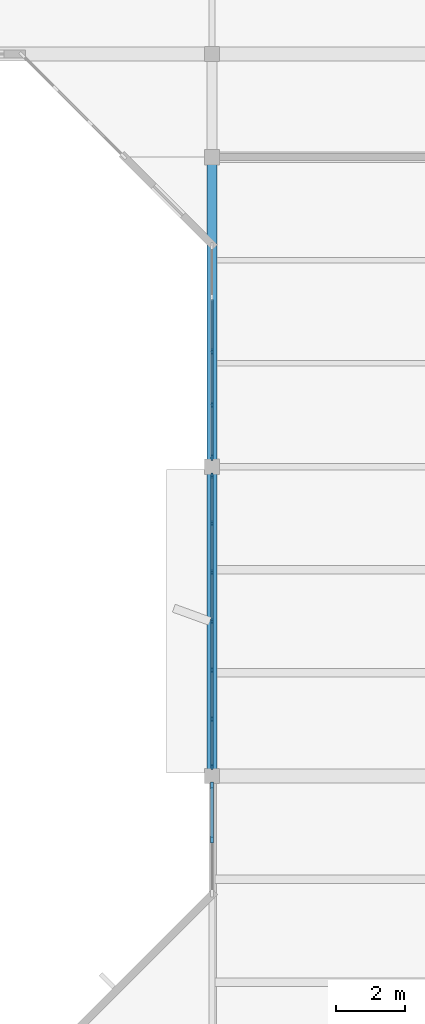
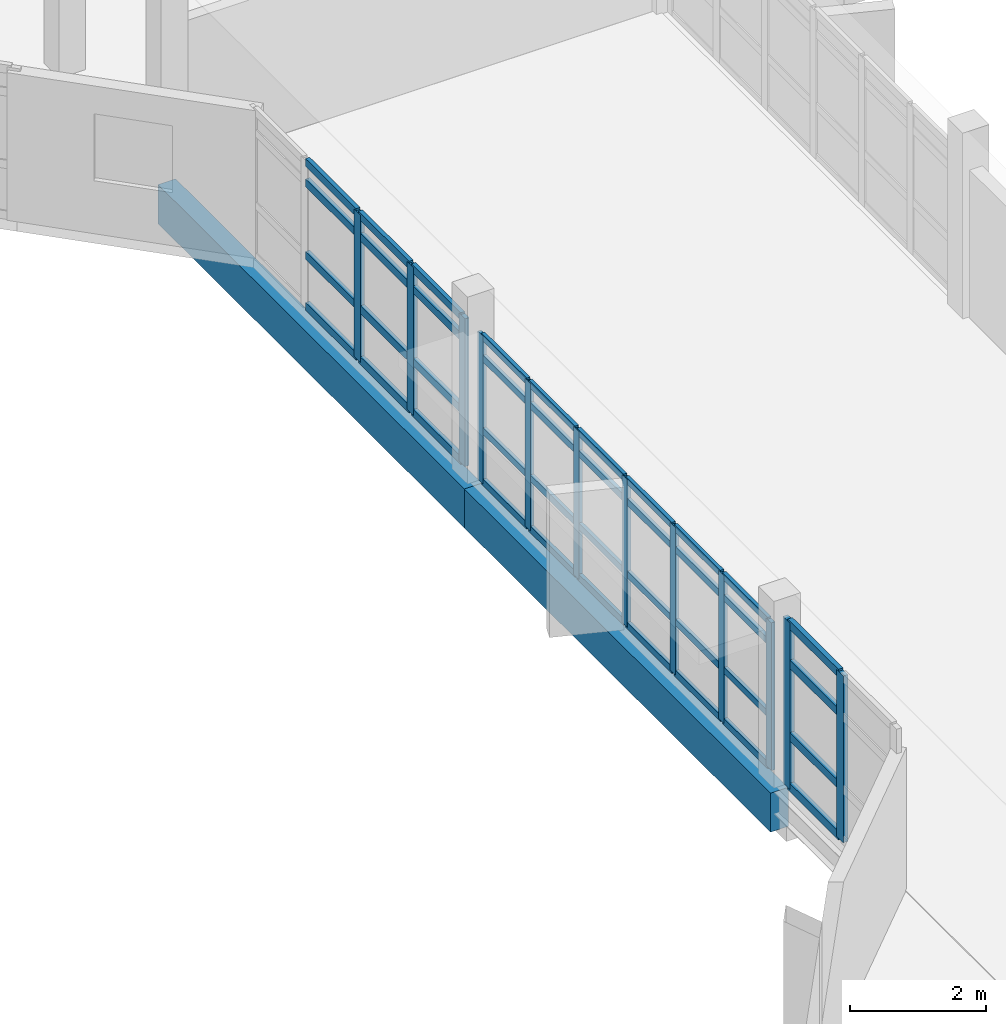
# One storey, part 5 of 33: 52 members, 2 beams, 3 elements without a shape of their own.
"""IFC4 building model written with IfcOpenShell, lengths in metres."""

from ifc_helpers import new_model, si_unit, direction, frame, origin, origin_2d, place, context, subcontext, project, spatial, rectangle, extrude, material, material_profile, profile_set, type_object, element, aggregate, save


model = new_model("IFC4")

# Units and contexts
model_context = context("Model", 3, precision=1e-05, world=origin(), true_north=direction((0.0, 1.0)))
body_context = subcontext(model_context, "Body", "Model", "MODEL_VIEW")
ifc_project = project(units=[si_unit("LENGTHUNIT", "METRE"), si_unit("AREAUNIT", "SQUARE_METRE"), si_unit("VOLUMEUNIT", "CUBIC_METRE"), si_unit("PLANEANGLEUNIT", "RADIAN"), si_unit("MASSUNIT", "GRAM", prefix="KILO")], contexts=[model_context])

# Site, building, storey
site_placement = place(None, origin())
site = spatial("IfcSite", under=ifc_project, at=site_placement, CompositionType="ELEMENT")
building_placement = place(site_placement, origin())
building = spatial("IfcBuilding", under=site, at=building_placement, Name="Vanh Quang Courtyard School", CompositionType="ELEMENT")
storey_placement = place(building_placement, frame((0.0, 0.0, 18.60009765625)))
storey = spatial("IfcBuildingStorey", under=building, at=storey_placement, Name="L05", CompositionType="ELEMENT", Elevation=18.60009765625)

# Beams
ifc_material_1 = material(Name="Concrete C35/45", Category="concrete")
ifc_material_profile_1 = material_profile(ifc_material_1, rectangle(XDim=0.300048828125, YDim=0.699951171875, at=origin_2d()), Name="RC-SP 300x700")
ifc_profile_set_1 = profile_set([ifc_material_profile_1], Name="Concrete C35/45")
beam_type = type_object("IfcBeamType", Name="BM-SP-300x700", PredefinedType="SPANDREL", material=ifc_profile_set_1)
for number, where, z_axis, x_axis, name in (
    (1, (66.0, 50.39990234375, -0.60009765625), (0.0, 1.0, 0.0), (-1.0, 0.0, 0.0), "Beam BS-01 (L05)"),
    (2, (66.0, 59.39990234375, -0.60009765625), (0.0, 1.0, 0.0), (-1.0, 0.0, 0.0), "Beam BS-01 (L05)"),
):
    element("IfcBeam", number, at=place(storey_placement, frame(where, z_axis=z_axis, x_axis=x_axis)), inside=storey, type_object=beam_type, Name=name, PredefinedType="SPANDREL", context=body_context, shape_type="SweptSolid", body=[
        extrude(rectangle(XDim=0.300048828125, YDim=0.699951171875, at=origin_2d()), origin(), (0.0, 0.0, 1.0), 9.0),
    ])

# Curtain wall, members
ifc_material_2 = material(Name="Thermally broken aluminium unitised curtain wall", Category="aluminium")
curtain_wall_type_1 = type_object("IfcCurtainWallType", Name="CW-SYS-50", PredefinedType="NOTDEFINED", material=ifc_material_2)
curtain_wall_1_placement = place(storey_placement, origin())
curtain_wall_1 = element("IfcCurtainWall", 3, at=curtain_wall_1_placement, inside=storey, type_object=curtain_wall_type_1, Name="Curtain Wall CW-50 (L05)", PredefinedType="NOTDEFINED")
ifc_material_3 = material(Name="Anodised aluminium 6063-T6", Category="aluminium")
ifc_material_profile_2 = material_profile(ifc_material_3, rectangle(XDim=0.06005859375, YDim=0.159912109375, at=origin_2d()), Name="ALU-MUL 60x160")
ifc_profile_set_2 = profile_set([ifc_material_profile_2], Name="Anodised aluminium 6063-T6")
member_type_1 = type_object("IfcMemberType", Name="CW-MUL-60x160", PredefinedType="MULLION", material=ifc_profile_set_2)
member_1_placement = place(storey_placement, frame((66.0, 50.6630859375, 0.0), z_axis=(0.0, 0.0, 1.0), x_axis=(-1.0, 0.0, 0.0)))
member_1 = element("IfcMember", 4, at=member_1_placement, type_object=member_type_1, Name="CW-50 mullion 1", PredefinedType="MULLION", context=body_context, shape_type="SweptSolid", body=[
    extrude(rectangle(XDim=0.06005859375, YDim=0.159912109375, at=origin_2d()), origin(), (0.0, 0.0, 1.0), 2.64990234375),
])
member_2_placement = place(storey_placement, frame((66.0, 52.055419921875, 0.0), z_axis=(0.0, 0.0, 1.0), x_axis=(-1.0, 0.0, 0.0)))
member_2 = element("IfcMember", 5, at=member_2_placement, type_object=member_type_1, Name="CW-50 mullion 2", PredefinedType="MULLION", context=body_context, shape_type="SweptSolid", body=[
    extrude(rectangle(XDim=0.06005859375, YDim=0.159912109375, at=origin_2d()), origin(), (0.0, 0.0, 1.0), 2.64990234375),
])
member_3_placement = place(storey_placement, frame((66.0, 53.477783203125, 0.0), z_axis=(0.0, 0.0, 1.0), x_axis=(-1.0, 0.0, 0.0)))
member_3 = element("IfcMember", 6, at=member_3_placement, type_object=member_type_1, Name="CW-50 mullion 3", PredefinedType="MULLION", context=body_context, shape_type="SweptSolid", body=[
    extrude(rectangle(XDim=0.06005859375, YDim=0.159912109375, at=origin_2d()), origin(), (0.0, 0.0, 1.0), 2.64990234375),
])
member_4_placement = place(storey_placement, frame((66.0, 54.89990234375, 0.0), z_axis=(0.0, 0.0, 1.0), x_axis=(-1.0, 0.0, 0.0)))
member_4 = element("IfcMember", 7, at=member_4_placement, type_object=member_type_1, Name="CW-50 mullion 4", PredefinedType="MULLION", context=body_context, shape_type="SweptSolid", body=[
    extrude(rectangle(XDim=0.06005859375, YDim=0.159912109375, at=origin_2d()), origin(), (0.0, 0.0, 1.0), 2.64990234375),
])
member_5_placement = place(storey_placement, frame((66.0, 56.322265625, 0.0), z_axis=(0.0, 0.0, 1.0), x_axis=(-1.0, 0.0, 0.0)))
member_5 = element("IfcMember", 8, at=member_5_placement, type_object=member_type_1, Name="CW-50 mullion 5", PredefinedType="MULLION", context=body_context, shape_type="SweptSolid", body=[
    extrude(rectangle(XDim=0.06005859375, YDim=0.159912109375, at=origin_2d()), origin(), (0.0, 0.0, 1.0), 2.64990234375),
])
member_6_placement = place(storey_placement, frame((66.0, 57.74462890625, 0.0), z_axis=(0.0, 0.0, 1.0), x_axis=(-1.0, 0.0, 0.0)))
member_6 = element("IfcMember", 9, at=member_6_placement, type_object=member_type_1, Name="CW-50 mullion 6", PredefinedType="MULLION", context=body_context, shape_type="SweptSolid", body=[
    extrude(rectangle(XDim=0.06005859375, YDim=0.159912109375, at=origin_2d()), origin(), (0.0, 0.0, 1.0), 2.64990234375),
])
member_7_placement = place(storey_placement, frame((66.0, 59.136962890625, 0.0), z_axis=(0.0, 0.0, 1.0), x_axis=(-1.0, 0.0, 0.0)))
member_7 = element("IfcMember", 10, at=member_7_placement, type_object=member_type_1, Name="CW-50 mullion 7", PredefinedType="MULLION", context=body_context, shape_type="SweptSolid", body=[
    extrude(rectangle(XDim=0.06005859375, YDim=0.159912109375, at=origin_2d()), origin(), (0.0, 0.0, 1.0), 2.64990234375),
])

curtain_wall_type_2 = type_object("IfcCurtainWallType", Name="CW-SYS-44", PredefinedType="NOTDEFINED", material=ifc_material_2)
curtain_wall_2_placement = place(storey_placement, origin())
curtain_wall_2 = element("IfcCurtainWall", 11, at=curtain_wall_2_placement, inside=storey, type_object=curtain_wall_type_2, Name="Curtain Wall CW-44 (L05)", PredefinedType="NOTDEFINED")
ifc_material_profile_3 = material_profile(ifc_material_3, rectangle(XDim=0.070068359375, YDim=0.179931640625, at=origin_2d()), Name="ALU-MUL 70x180")
ifc_profile_set_3 = profile_set([ifc_material_profile_3], Name="Anodised aluminium 6063-T6")
member_type_2 = type_object("IfcMemberType", Name="CW-MUL-70x180", PredefinedType="MULLION", material=ifc_profile_set_3)
member_8_placement = place(storey_placement, frame((66.0, 59.66796875, 0.0), z_axis=(0.0, 0.0, 1.0), x_axis=(-1.0, 0.0, 0.0)))
member_8 = element("IfcMember", 12, at=member_8_placement, type_object=member_type_2, Name="CW-44 mullion 1", PredefinedType="MULLION", context=body_context, shape_type="SweptSolid", body=[
    extrude(rectangle(XDim=0.070068359375, YDim=0.179931640625, at=origin_2d()), origin(), (0.0, 0.0, 1.0), 2.64990234375),
])
member_9_placement = place(storey_placement, frame((66.0, 61.188720703125, 0.0), z_axis=(0.0, 0.0, 1.0), x_axis=(-1.0, 0.0, 0.0)))
member_9 = element("IfcMember", 13, at=member_9_placement, type_object=member_type_2, Name="CW-44 mullion 2", PredefinedType="MULLION", context=body_context, shape_type="SweptSolid", body=[
    extrude(rectangle(XDim=0.070068359375, YDim=0.179931640625, at=origin_2d()), origin(), (0.0, 0.0, 1.0), 2.64990234375),
])
member_10_placement = place(storey_placement, frame((66.0, 62.744384765625, 0.0), z_axis=(0.0, 0.0, 1.0), x_axis=(-1.0, 0.0, 0.0)))
member_10 = element("IfcMember", 14, at=member_10_placement, type_object=member_type_2, Name="CW-44 mullion 3", PredefinedType="MULLION", context=body_context, shape_type="SweptSolid", body=[
    extrude(rectangle(XDim=0.070068359375, YDim=0.179931640625, at=origin_2d()), origin(), (0.0, 0.0, 1.0), 2.64990234375),
])

curtain_wall_type_3 = type_object("IfcCurtainWallType", Name="CW-SYS-53", PredefinedType="NOTDEFINED", material=ifc_material_2)
curtain_wall_3_placement = place(storey_placement, origin())
curtain_wall_3 = element("IfcCurtainWall", 15, at=curtain_wall_3_placement, inside=storey, type_object=curtain_wall_type_3, Name="Curtain Wall CW-53 (L05)", PredefinedType="NOTDEFINED")
ifc_material_profile_4 = material_profile(ifc_material_3, rectangle(XDim=0.080078125, YDim=0.199951171875, at=origin_2d()), Name="ALU-MUL 80x200")
ifc_profile_set_4 = profile_set([ifc_material_profile_4], Name="Anodised aluminium 6063-T6")
member_type_3 = type_object("IfcMemberType", Name="CW-MUL-80x200", PredefinedType="MULLION", material=ifc_profile_set_4)
member_11_placement = place(storey_placement, frame((66.0, 48.555419921875, 0.0), z_axis=(0.0, 0.0, 1.0), x_axis=(-1.0, 0.0, 0.0)))
member_11 = element("IfcMember", 16, at=member_11_placement, type_object=member_type_3, Name="CW-53 mullion 2", PredefinedType="MULLION", context=body_context, shape_type="SweptSolid", body=[
    extrude(rectangle(XDim=0.080078125, YDim=0.199951171875, at=origin_2d()), origin(), (0.0, 0.0, 1.0), 2.989990234375),
])
member_12_placement = place(storey_placement, frame((66.0, 50.126953125, 0.0), z_axis=(0.0, 0.0, 1.0), x_axis=(-1.0, 0.0, 0.0)))
member_12 = element("IfcMember", 17, at=member_12_placement, type_object=member_type_3, Name="CW-53 mullion 3", PredefinedType="MULLION", context=body_context, shape_type="SweptSolid", body=[
    extrude(rectangle(XDim=0.080078125, YDim=0.199951171875, at=origin_2d()), origin(), (0.0, 0.0, 1.0), 2.989990234375),
])

# Member
ifc_material_profile_5 = material_profile(ifc_material_3, rectangle(XDim=0.06005859375, YDim=0.1201171875, at=origin_2d()), Name="ALU-TRN 60x120")
ifc_profile_set_5 = profile_set([ifc_material_profile_5], Name="Anodised aluminium 6063-T6")
member_type_4 = type_object("IfcMemberType", Name="CW-TRN-60x120", PredefinedType="USERDEFINED", material=ifc_profile_set_5)
member_13_placement = place(storey_placement, frame((66.0, 50.693115234375, 0.02978515625), z_axis=(0.0, 1.0, 0.0), x_axis=(-1.0, 0.0, 0.0)))
member_13 = element("IfcMember", 18, at=member_13_placement, type_object=member_type_4, Name="CW-50 transom 1.1", ObjectType="TRANSOM", PredefinedType="USERDEFINED", context=body_context, shape_type="SweptSolid", body=[
    extrude(rectangle(XDim=0.06005859375, YDim=0.1201171875, at=origin_2d()), origin(), (0.0, 0.0, 1.0), 1.332275390625),
])

member_14_placement = place(storey_placement, frame((66.0, 50.693115234375, 0.949951171875), z_axis=(0.0, 1.0, 0.0), x_axis=(-1.0, 0.0, 0.0)))
member_14 = element("IfcMember", 19, at=member_14_placement, type_object=member_type_4, Name="CW-50 transom 1.2", ObjectType="TRANSOM", PredefinedType="USERDEFINED", context=body_context, shape_type="SweptSolid", body=[
    extrude(rectangle(XDim=0.06005859375, YDim=0.1201171875, at=origin_2d()), origin(), (0.0, 0.0, 1.0), 1.332275390625),
])

member_15_placement = place(storey_placement, frame((66.0, 50.693115234375, 2.25), z_axis=(0.0, 1.0, 0.0), x_axis=(-1.0, 0.0, 0.0)))
member_15 = element("IfcMember", 20, at=member_15_placement, type_object=member_type_4, Name="CW-50 transom 1.3", ObjectType="TRANSOM", PredefinedType="USERDEFINED", context=body_context, shape_type="SweptSolid", body=[
    extrude(rectangle(XDim=0.06005859375, YDim=0.1201171875, at=origin_2d()), origin(), (0.0, 0.0, 1.0), 1.332275390625),
])

member_16_placement = place(storey_placement, frame((66.0, 50.693115234375, 2.619873046875), z_axis=(0.0, 1.0, 0.0), x_axis=(-1.0, 0.0, 0.0)))
member_16 = element("IfcMember", 21, at=member_16_placement, type_object=member_type_4, Name="CW-50 transom 1.4", ObjectType="TRANSOM", PredefinedType="USERDEFINED", context=body_context, shape_type="SweptSolid", body=[
    extrude(rectangle(XDim=0.06005859375, YDim=0.1201171875, at=origin_2d()), origin(), (0.0, 0.0, 1.0), 1.332275390625),
])

member_17_placement = place(storey_placement, frame((66.0, 52.08544921875, 0.02978515625), z_axis=(0.0, 1.0, 0.0), x_axis=(-1.0, 0.0, 0.0)))
member_17 = element("IfcMember", 22, at=member_17_placement, type_object=member_type_4, Name="CW-50 transom 2.1", ObjectType="TRANSOM", PredefinedType="USERDEFINED", context=body_context, shape_type="SweptSolid", body=[
    extrude(rectangle(XDim=0.06005859375, YDim=0.1201171875, at=origin_2d()), origin(), (0.0, 0.0, 1.0), 1.3623046875),
])

member_18_placement = place(storey_placement, frame((66.0, 52.08544921875, 0.949951171875), z_axis=(0.0, 1.0, 0.0), x_axis=(-1.0, 0.0, 0.0)))
member_18 = element("IfcMember", 23, at=member_18_placement, type_object=member_type_4, Name="CW-50 transom 2.2", ObjectType="TRANSOM", PredefinedType="USERDEFINED", context=body_context, shape_type="SweptSolid", body=[
    extrude(rectangle(XDim=0.06005859375, YDim=0.1201171875, at=origin_2d()), origin(), (0.0, 0.0, 1.0), 1.3623046875),
])

member_19_placement = place(storey_placement, frame((66.0, 52.08544921875, 2.25), z_axis=(0.0, 1.0, 0.0), x_axis=(-1.0, 0.0, 0.0)))
member_19 = element("IfcMember", 24, at=member_19_placement, type_object=member_type_4, Name="CW-50 transom 2.3", ObjectType="TRANSOM", PredefinedType="USERDEFINED", context=body_context, shape_type="SweptSolid", body=[
    extrude(rectangle(XDim=0.06005859375, YDim=0.1201171875, at=origin_2d()), origin(), (0.0, 0.0, 1.0), 1.3623046875),
])

member_20_placement = place(storey_placement, frame((66.0, 52.08544921875, 2.619873046875), z_axis=(0.0, 1.0, 0.0), x_axis=(-1.0, 0.0, 0.0)))
member_20 = element("IfcMember", 25, at=member_20_placement, type_object=member_type_4, Name="CW-50 transom 2.4", ObjectType="TRANSOM", PredefinedType="USERDEFINED", context=body_context, shape_type="SweptSolid", body=[
    extrude(rectangle(XDim=0.06005859375, YDim=0.1201171875, at=origin_2d()), origin(), (0.0, 0.0, 1.0), 1.3623046875),
])

member_21_placement = place(storey_placement, frame((66.0, 53.507568359375, 0.02978515625), z_axis=(0.0, 1.0, 0.0), x_axis=(-1.0, 0.0, 0.0)))
member_21 = element("IfcMember", 26, at=member_21_placement, type_object=member_type_4, Name="CW-50 transom 3.1", ObjectType="TRANSOM", PredefinedType="USERDEFINED", context=body_context, shape_type="SweptSolid", body=[
    extrude(rectangle(XDim=0.06005859375, YDim=0.1201171875, at=origin_2d()), origin(), (0.0, 0.0, 1.0), 1.362548828125),
])

member_22_placement = place(storey_placement, frame((66.0, 53.507568359375, 0.949951171875), z_axis=(0.0, 1.0, 0.0), x_axis=(-1.0, 0.0, 0.0)))
member_22 = element("IfcMember", 27, at=member_22_placement, type_object=member_type_4, Name="CW-50 transom 3.2", ObjectType="TRANSOM", PredefinedType="USERDEFINED", context=body_context, shape_type="SweptSolid", body=[
    extrude(rectangle(XDim=0.06005859375, YDim=0.1201171875, at=origin_2d()), origin(), (0.0, 0.0, 1.0), 1.362548828125),
])

member_23_placement = place(storey_placement, frame((66.0, 53.507568359375, 2.25), z_axis=(0.0, 1.0, 0.0), x_axis=(-1.0, 0.0, 0.0)))
member_23 = element("IfcMember", 28, at=member_23_placement, type_object=member_type_4, Name="CW-50 transom 3.3", ObjectType="TRANSOM", PredefinedType="USERDEFINED", context=body_context, shape_type="SweptSolid", body=[
    extrude(rectangle(XDim=0.06005859375, YDim=0.1201171875, at=origin_2d()), origin(), (0.0, 0.0, 1.0), 1.362548828125),
])

member_24_placement = place(storey_placement, frame((66.0, 53.507568359375, 2.619873046875), z_axis=(0.0, 1.0, 0.0), x_axis=(-1.0, 0.0, 0.0)))
member_24 = element("IfcMember", 29, at=member_24_placement, type_object=member_type_4, Name="CW-50 transom 3.4", ObjectType="TRANSOM", PredefinedType="USERDEFINED", context=body_context, shape_type="SweptSolid", body=[
    extrude(rectangle(XDim=0.06005859375, YDim=0.1201171875, at=origin_2d()), origin(), (0.0, 0.0, 1.0), 1.362548828125),
])

member_25_placement = place(storey_placement, frame((66.0, 54.929931640625, 0.02978515625), z_axis=(0.0, 1.0, 0.0), x_axis=(-1.0, 0.0, 0.0)))
member_25 = element("IfcMember", 30, at=member_25_placement, type_object=member_type_4, Name="CW-50 transom 4.1", ObjectType="TRANSOM", PredefinedType="USERDEFINED", context=body_context, shape_type="SweptSolid", body=[
    extrude(rectangle(XDim=0.06005859375, YDim=0.1201171875, at=origin_2d()), origin(), (0.0, 0.0, 1.0), 1.3623046875),
])

member_26_placement = place(storey_placement, frame((66.0, 54.929931640625, 0.949951171875), z_axis=(0.0, 1.0, 0.0), x_axis=(-1.0, 0.0, 0.0)))
member_26 = element("IfcMember", 31, at=member_26_placement, type_object=member_type_4, Name="CW-50 transom 4.2", ObjectType="TRANSOM", PredefinedType="USERDEFINED", context=body_context, shape_type="SweptSolid", body=[
    extrude(rectangle(XDim=0.06005859375, YDim=0.1201171875, at=origin_2d()), origin(), (0.0, 0.0, 1.0), 1.3623046875),
])

member_27_placement = place(storey_placement, frame((66.0, 54.929931640625, 2.25), z_axis=(0.0, 1.0, 0.0), x_axis=(-1.0, 0.0, 0.0)))
member_27 = element("IfcMember", 32, at=member_27_placement, type_object=member_type_4, Name="CW-50 transom 4.3", ObjectType="TRANSOM", PredefinedType="USERDEFINED", context=body_context, shape_type="SweptSolid", body=[
    extrude(rectangle(XDim=0.06005859375, YDim=0.1201171875, at=origin_2d()), origin(), (0.0, 0.0, 1.0), 1.3623046875),
])

member_28_placement = place(storey_placement, frame((66.0, 54.929931640625, 2.619873046875), z_axis=(0.0, 1.0, 0.0), x_axis=(-1.0, 0.0, 0.0)))
member_28 = element("IfcMember", 33, at=member_28_placement, type_object=member_type_4, Name="CW-50 transom 4.4", ObjectType="TRANSOM", PredefinedType="USERDEFINED", context=body_context, shape_type="SweptSolid", body=[
    extrude(rectangle(XDim=0.06005859375, YDim=0.1201171875, at=origin_2d()), origin(), (0.0, 0.0, 1.0), 1.3623046875),
])

member_29_placement = place(storey_placement, frame((66.0, 56.352294921875, 0.02978515625), z_axis=(0.0, 1.0, 0.0), x_axis=(-1.0, 0.0, 0.0)))
member_29 = element("IfcMember", 34, at=member_29_placement, type_object=member_type_4, Name="CW-50 transom 5.1", ObjectType="TRANSOM", PredefinedType="USERDEFINED", context=body_context, shape_type="SweptSolid", body=[
    extrude(rectangle(XDim=0.06005859375, YDim=0.1201171875, at=origin_2d()), origin(), (0.0, 0.0, 1.0), 1.3623046875),
])

member_30_placement = place(storey_placement, frame((66.0, 56.352294921875, 0.949951171875), z_axis=(0.0, 1.0, 0.0), x_axis=(-1.0, 0.0, 0.0)))
member_30 = element("IfcMember", 35, at=member_30_placement, type_object=member_type_4, Name="CW-50 transom 5.2", ObjectType="TRANSOM", PredefinedType="USERDEFINED", context=body_context, shape_type="SweptSolid", body=[
    extrude(rectangle(XDim=0.06005859375, YDim=0.1201171875, at=origin_2d()), origin(), (0.0, 0.0, 1.0), 1.3623046875),
])

member_31_placement = place(storey_placement, frame((66.0, 56.352294921875, 2.25), z_axis=(0.0, 1.0, 0.0), x_axis=(-1.0, 0.0, 0.0)))
member_31 = element("IfcMember", 36, at=member_31_placement, type_object=member_type_4, Name="CW-50 transom 5.3", ObjectType="TRANSOM", PredefinedType="USERDEFINED", context=body_context, shape_type="SweptSolid", body=[
    extrude(rectangle(XDim=0.06005859375, YDim=0.1201171875, at=origin_2d()), origin(), (0.0, 0.0, 1.0), 1.3623046875),
])

member_32_placement = place(storey_placement, frame((66.0, 56.352294921875, 2.619873046875), z_axis=(0.0, 1.0, 0.0), x_axis=(-1.0, 0.0, 0.0)))
member_32 = element("IfcMember", 37, at=member_32_placement, type_object=member_type_4, Name="CW-50 transom 5.4", ObjectType="TRANSOM", PredefinedType="USERDEFINED", context=body_context, shape_type="SweptSolid", body=[
    extrude(rectangle(XDim=0.06005859375, YDim=0.1201171875, at=origin_2d()), origin(), (0.0, 0.0, 1.0), 1.3623046875),
])

member_33_placement = place(storey_placement, frame((66.0, 57.774658203125, 0.02978515625), z_axis=(0.0, 1.0, 0.0), x_axis=(-1.0, 0.0, 0.0)))
member_33 = element("IfcMember", 38, at=member_33_placement, type_object=member_type_4, Name="CW-50 transom 6.1", ObjectType="TRANSOM", PredefinedType="USERDEFINED", context=body_context, shape_type="SweptSolid", body=[
    extrude(rectangle(XDim=0.06005859375, YDim=0.1201171875, at=origin_2d()), origin(), (0.0, 0.0, 1.0), 1.332275390625),
])

member_34_placement = place(storey_placement, frame((66.0, 57.774658203125, 0.949951171875), z_axis=(0.0, 1.0, 0.0), x_axis=(-1.0, 0.0, 0.0)))
member_34 = element("IfcMember", 39, at=member_34_placement, type_object=member_type_4, Name="CW-50 transom 6.2", ObjectType="TRANSOM", PredefinedType="USERDEFINED", context=body_context, shape_type="SweptSolid", body=[
    extrude(rectangle(XDim=0.06005859375, YDim=0.1201171875, at=origin_2d()), origin(), (0.0, 0.0, 1.0), 1.332275390625),
])

member_35_placement = place(storey_placement, frame((66.0, 57.774658203125, 2.25), z_axis=(0.0, 1.0, 0.0), x_axis=(-1.0, 0.0, 0.0)))
member_35 = element("IfcMember", 40, at=member_35_placement, type_object=member_type_4, Name="CW-50 transom 6.3", ObjectType="TRANSOM", PredefinedType="USERDEFINED", context=body_context, shape_type="SweptSolid", body=[
    extrude(rectangle(XDim=0.06005859375, YDim=0.1201171875, at=origin_2d()), origin(), (0.0, 0.0, 1.0), 1.332275390625),
])

member_36_placement = place(storey_placement, frame((66.0, 57.774658203125, 2.619873046875), z_axis=(0.0, 1.0, 0.0), x_axis=(-1.0, 0.0, 0.0)))
member_36 = element("IfcMember", 41, at=member_36_placement, type_object=member_type_4, Name="CW-50 transom 6.4", ObjectType="TRANSOM", PredefinedType="USERDEFINED", context=body_context, shape_type="SweptSolid", body=[
    extrude(rectangle(XDim=0.06005859375, YDim=0.1201171875, at=origin_2d()), origin(), (0.0, 0.0, 1.0), 1.332275390625),
])

aggregate(curtain_wall_1, [member_1, member_2, member_3, member_4, member_5, member_6, member_7, member_13, member_14, member_15, member_16, member_17, member_18, member_19, member_20, member_21, member_22, member_23, member_24, member_25, member_26, member_27, member_28, member_29, member_30, member_31, member_32, member_33, member_34, member_35, member_36])

ifc_material_profile_6 = material_profile(ifc_material_3, rectangle(XDim=0.070068359375, YDim=0.139892578125, at=origin_2d()), Name="ALU-TRN 70x140")
ifc_profile_set_6 = profile_set([ifc_material_profile_6], Name="Anodised aluminium 6063-T6")
member_type_5 = type_object("IfcMemberType", Name="CW-TRN-70x140", PredefinedType="USERDEFINED", material=ifc_profile_set_6)
member_37_placement = place(storey_placement, frame((66.0, 59.702880859375, 0.034912109375), z_axis=(0.0, 1.0, 0.0), x_axis=(-1.0, 0.0, 0.0)))
member_37 = element("IfcMember", 42, at=member_37_placement, type_object=member_type_5, Name="CW-44 transom 1.1", ObjectType="TRANSOM", PredefinedType="USERDEFINED", context=body_context, shape_type="SweptSolid", body=[
    extrude(rectangle(XDim=0.070068359375, YDim=0.139892578125, at=origin_2d()), origin(), (0.0, 0.0, 1.0), 1.450927734375),
])

member_38_placement = place(storey_placement, frame((66.0, 59.702880859375, 0.949951171875), z_axis=(0.0, 1.0, 0.0), x_axis=(-1.0, 0.0, 0.0)))
member_38 = element("IfcMember", 43, at=member_38_placement, type_object=member_type_5, Name="CW-44 transom 1.2", ObjectType="TRANSOM", PredefinedType="USERDEFINED", context=body_context, shape_type="SweptSolid", body=[
    extrude(rectangle(XDim=0.070068359375, YDim=0.139892578125, at=origin_2d()), origin(), (0.0, 0.0, 1.0), 1.450927734375),
])

member_39_placement = place(storey_placement, frame((66.0, 59.702880859375, 2.25), z_axis=(0.0, 1.0, 0.0), x_axis=(-1.0, 0.0, 0.0)))
member_39 = element("IfcMember", 44, at=member_39_placement, type_object=member_type_5, Name="CW-44 transom 1.3", ObjectType="TRANSOM", PredefinedType="USERDEFINED", context=body_context, shape_type="SweptSolid", body=[
    extrude(rectangle(XDim=0.070068359375, YDim=0.139892578125, at=origin_2d()), origin(), (0.0, 0.0, 1.0), 1.450927734375),
])

member_40_placement = place(storey_placement, frame((66.0, 59.702880859375, 2.614990234375), z_axis=(0.0, 1.0, 0.0), x_axis=(-1.0, 0.0, 0.0)))
member_40 = element("IfcMember", 45, at=member_40_placement, type_object=member_type_5, Name="CW-44 transom 1.4", ObjectType="TRANSOM", PredefinedType="USERDEFINED", context=body_context, shape_type="SweptSolid", body=[
    extrude(rectangle(XDim=0.070068359375, YDim=0.139892578125, at=origin_2d()), origin(), (0.0, 0.0, 1.0), 1.450927734375),
])

member_41_placement = place(storey_placement, frame((66.0, 61.2236328125, 0.034912109375), z_axis=(0.0, 1.0, 0.0), x_axis=(-1.0, 0.0, 0.0)))
member_41 = element("IfcMember", 46, at=member_41_placement, type_object=member_type_5, Name="CW-44 transom 2.1", ObjectType="TRANSOM", PredefinedType="USERDEFINED", context=body_context, shape_type="SweptSolid", body=[
    extrude(rectangle(XDim=0.070068359375, YDim=0.139892578125, at=origin_2d()), origin(), (0.0, 0.0, 1.0), 1.48583984375),
])

member_42_placement = place(storey_placement, frame((66.0, 61.2236328125, 0.949951171875), z_axis=(0.0, 1.0, 0.0), x_axis=(-1.0, 0.0, 0.0)))
member_42 = element("IfcMember", 47, at=member_42_placement, type_object=member_type_5, Name="CW-44 transom 2.2", ObjectType="TRANSOM", PredefinedType="USERDEFINED", context=body_context, shape_type="SweptSolid", body=[
    extrude(rectangle(XDim=0.070068359375, YDim=0.139892578125, at=origin_2d()), origin(), (0.0, 0.0, 1.0), 1.48583984375),
])

member_43_placement = place(storey_placement, frame((66.0, 61.2236328125, 2.25), z_axis=(0.0, 1.0, 0.0), x_axis=(-1.0, 0.0, 0.0)))
member_43 = element("IfcMember", 48, at=member_43_placement, type_object=member_type_5, Name="CW-44 transom 2.3", ObjectType="TRANSOM", PredefinedType="USERDEFINED", context=body_context, shape_type="SweptSolid", body=[
    extrude(rectangle(XDim=0.070068359375, YDim=0.139892578125, at=origin_2d()), origin(), (0.0, 0.0, 1.0), 1.48583984375),
])

member_44_placement = place(storey_placement, frame((66.0, 61.2236328125, 2.614990234375), z_axis=(0.0, 1.0, 0.0), x_axis=(-1.0, 0.0, 0.0)))
member_44 = element("IfcMember", 49, at=member_44_placement, type_object=member_type_5, Name="CW-44 transom 2.4", ObjectType="TRANSOM", PredefinedType="USERDEFINED", context=body_context, shape_type="SweptSolid", body=[
    extrude(rectangle(XDim=0.070068359375, YDim=0.139892578125, at=origin_2d()), origin(), (0.0, 0.0, 1.0), 1.48583984375),
])

member_45_placement = place(storey_placement, frame((66.0, 62.779541015625, 0.034912109375), z_axis=(0.0, 1.0, 0.0), x_axis=(-1.0, 0.0, 0.0)))
member_45 = element("IfcMember", 50, at=member_45_placement, type_object=member_type_5, Name="CW-44 transom 3.1", ObjectType="TRANSOM", PredefinedType="USERDEFINED", context=body_context, shape_type="SweptSolid", body=[
    extrude(rectangle(XDim=0.070068359375, YDim=0.139892578125, at=origin_2d()), origin(), (0.0, 0.0, 1.0), 1.485595703125),
])

member_46_placement = place(storey_placement, frame((66.0, 62.779541015625, 0.949951171875), z_axis=(0.0, 1.0, 0.0), x_axis=(-1.0, 0.0, 0.0)))
member_46 = element("IfcMember", 51, at=member_46_placement, type_object=member_type_5, Name="CW-44 transom 3.2", ObjectType="TRANSOM", PredefinedType="USERDEFINED", context=body_context, shape_type="SweptSolid", body=[
    extrude(rectangle(XDim=0.070068359375, YDim=0.139892578125, at=origin_2d()), origin(), (0.0, 0.0, 1.0), 1.485595703125),
])

member_47_placement = place(storey_placement, frame((66.0, 62.779541015625, 2.25), z_axis=(0.0, 1.0, 0.0), x_axis=(-1.0, 0.0, 0.0)))
member_47 = element("IfcMember", 52, at=member_47_placement, type_object=member_type_5, Name="CW-44 transom 3.3", ObjectType="TRANSOM", PredefinedType="USERDEFINED", context=body_context, shape_type="SweptSolid", body=[
    extrude(rectangle(XDim=0.070068359375, YDim=0.139892578125, at=origin_2d()), origin(), (0.0, 0.0, 1.0), 1.485595703125),
])

member_48_placement = place(storey_placement, frame((66.0, 62.779541015625, 2.614990234375), z_axis=(0.0, 1.0, 0.0), x_axis=(-1.0, 0.0, 0.0)))
member_48 = element("IfcMember", 53, at=member_48_placement, type_object=member_type_5, Name="CW-44 transom 3.4", ObjectType="TRANSOM", PredefinedType="USERDEFINED", context=body_context, shape_type="SweptSolid", body=[
    extrude(rectangle(XDim=0.070068359375, YDim=0.139892578125, at=origin_2d()), origin(), (0.0, 0.0, 1.0), 1.485595703125),
])

aggregate(curtain_wall_2, [member_8, member_9, member_10, member_37, member_38, member_39, member_40, member_41, member_42, member_43, member_44, member_45, member_46, member_47, member_48])

ifc_material_profile_7 = material_profile(ifc_material_3, rectangle(XDim=0.080078125, YDim=0.14990234375, at=origin_2d()), Name="ALU-TRN 80x150")
ifc_profile_set_7 = profile_set([ifc_material_profile_7], Name="Anodised aluminium 6063-T6")
member_type_6 = type_object("IfcMemberType", Name="CW-TRN-80x150", PredefinedType="USERDEFINED", material=ifc_profile_set_7)
member_49_placement = place(storey_placement, frame((66.0, 48.595458984375, 0.039794921875), z_axis=(0.0, 1.0, 0.0), x_axis=(-1.0, 0.0, 0.0)))
member_49 = element("IfcMember", 54, at=member_49_placement, type_object=member_type_6, Name="CW-53 transom 2.1", ObjectType="TRANSOM", PredefinedType="USERDEFINED", context=body_context, shape_type="SweptSolid", body=[
    extrude(rectangle(XDim=0.080078125, YDim=0.14990234375, at=origin_2d()), origin(), (0.0, 0.0, 1.0), 1.491455078125),
])

member_50_placement = place(storey_placement, frame((66.0, 48.595458984375, 0.949951171875), z_axis=(0.0, 1.0, 0.0), x_axis=(-1.0, 0.0, 0.0)))
member_50 = element("IfcMember", 55, at=member_50_placement, type_object=member_type_6, Name="CW-53 transom 2.2", ObjectType="TRANSOM", PredefinedType="USERDEFINED", context=body_context, shape_type="SweptSolid", body=[
    extrude(rectangle(XDim=0.080078125, YDim=0.14990234375, at=origin_2d()), origin(), (0.0, 0.0, 1.0), 1.491455078125),
])

member_51_placement = place(storey_placement, frame((66.0, 48.595458984375, 2.25), z_axis=(0.0, 1.0, 0.0), x_axis=(-1.0, 0.0, 0.0)))
member_51 = element("IfcMember", 56, at=member_51_placement, type_object=member_type_6, Name="CW-53 transom 2.3", ObjectType="TRANSOM", PredefinedType="USERDEFINED", context=body_context, shape_type="SweptSolid", body=[
    extrude(rectangle(XDim=0.080078125, YDim=0.14990234375, at=origin_2d()), origin(), (0.0, 0.0, 1.0), 1.491455078125),
])

member_52_placement = place(storey_placement, frame((66.0, 48.595458984375, 2.949951171875), z_axis=(0.0, 1.0, 0.0), x_axis=(-1.0, 0.0, 0.0)))
member_52 = element("IfcMember", 57, at=member_52_placement, type_object=member_type_6, Name="CW-53 transom 2.4", ObjectType="TRANSOM", PredefinedType="USERDEFINED", context=body_context, shape_type="SweptSolid", body=[
    extrude(rectangle(XDim=0.080078125, YDim=0.14990234375, at=origin_2d()), origin(), (0.0, 0.0, 1.0), 1.491455078125),
])

aggregate(curtain_wall_3, [member_11, member_12, member_49, member_50, member_51, member_52])

save(model, "model.ifc")
